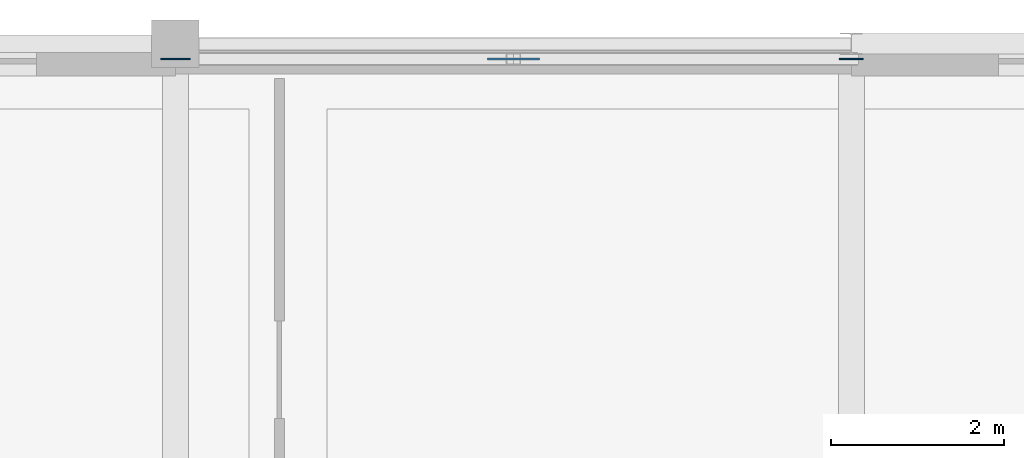
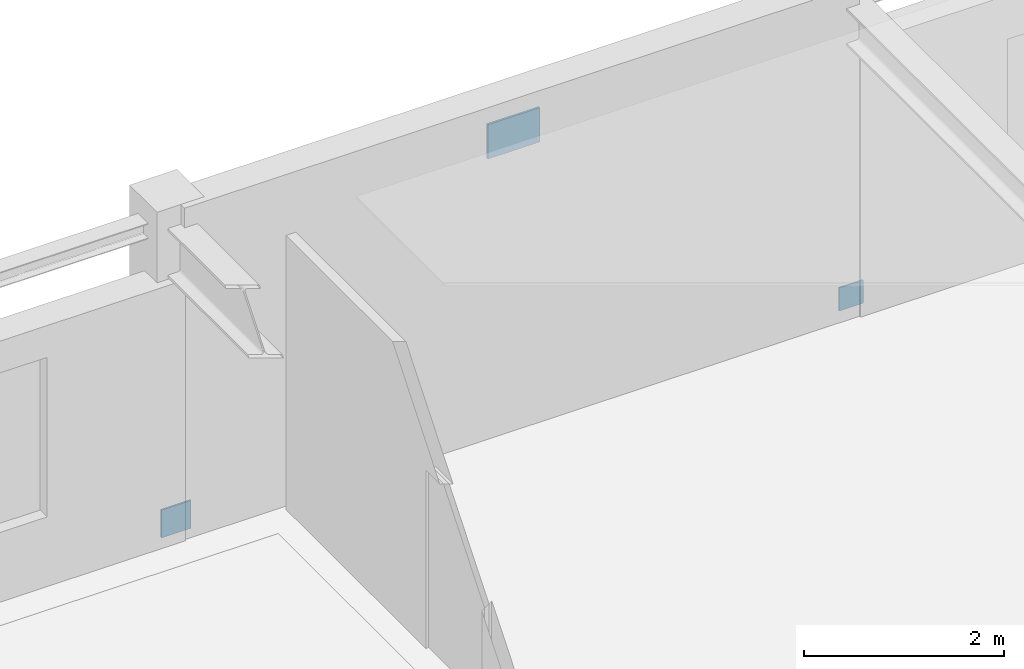
# One storey, part 11 of 20: 3 plates.
"""IFC4 building model written with IfcOpenShell, lengths in metres."""

from ifc_helpers import new_model, si_unit, derived_unit, direction, frame, origin, origin_2d, place, context, subcontext, project, spatial, rectangle, extrude, material, layer, layer_set, type_object, element, save


model = new_model("IFC4")

# Units and contexts
model_context = context("Model", 3, precision=1e-05, world=origin(), true_north=direction((0.0, 1.0)))
body_context = subcontext(model_context, "Body", "Model", "MODEL_VIEW")
ifc_project = project(units=[si_unit("LENGTHUNIT", "METRE"), si_unit("AREAUNIT", "SQUARE_METRE"), si_unit("VOLUMEUNIT", "CUBIC_METRE"), si_unit("PLANEANGLEUNIT", "RADIAN"), si_unit("MASSUNIT", "GRAM", prefix="KILO"), derived_unit("THERMALTRANSMITTANCEUNIT", [(si_unit("POWERUNIT", "WATT"), 1), (si_unit("AREAUNIT", "SQUARE_METRE"), -1), (si_unit("THERMODYNAMICTEMPERATUREUNIT", "KELVIN"), -1)])], contexts=[model_context])

# Site, building, storey
site_placement = place(None, origin())
site = spatial("IfcSite", under=ifc_project, at=site_placement, CompositionType="ELEMENT")
building_placement = place(site_placement, origin())
building = spatial("IfcBuilding", under=site, at=building_placement, Name="Yasenodar Specialist Clinic", CompositionType="ELEMENT")
storey_placement = place(building_placement, frame((0.0, 0.0, 25.35009765625)))
storey = spatial("IfcBuildingStorey", under=building, at=storey_placement, Name="L06", CompositionType="ELEMENT", Elevation=25.35009765625)

# Plates
ifc_material = material(Name="Steel S355", Category="steel")
ifc_layer_1 = layer(ifc_material, 0.02001953125)
ifc_layer_set_1 = layer_set([ifc_layer_1], Name="Steel S355")
plate_type_1 = type_object("IfcPlateType", Name="PL-STEEL-03", PredefinedType="SHEET", material=ifc_layer_set_1)
plate_1_placement = place(storey_placement, frame((81.0, 111.425048828125, -0.02001953125), z_axis=(0.0, 0.0, 1.0), x_axis=(1.0, 0.0, 0.0)))
element("IfcPlate", 1, at=plate_1_placement, inside=storey, type_object=plate_type_1, Name="L06 Hollow Section End-Cap Plate 0028", PredefinedType="SHEET", context=body_context, shape_type="SweptSolid", body=[
    extrude(rectangle(XDim=0.340087890625, YDim=0.02001953125, at=origin_2d()), origin(), (0.0, 0.0, 1.0), 0.340087890625),
])
ifc_layer_2 = layer(ifc_material, 0.01806640625)
ifc_layer_set_2 = layer_set([ifc_layer_2], Name="Steel S355")
plate_type_2 = type_object("IfcPlateType", Name="PL-STEEL-04", PredefinedType="SHEET", material=ifc_layer_set_2)
plate_2_placement = place(storey_placement, frame((88.800048828125, 111.425048828125, 0.009765625), z_axis=(0.0, 0.0, 1.0), x_axis=(1.0, 0.0, 0.0)))
element("IfcPlate", 2, at=plate_2_placement, inside=storey, type_object=plate_type_2, Name="L06 Hollow Section End-Cap Plate 0029", PredefinedType="SHEET", context=body_context, shape_type="SweptSolid", body=[
    extrude(rectangle(XDim=0.280029296875, YDim=0.01806640625, at=origin_2d()), origin(), (0.0, 0.0, 1.0), 0.280029296875),
])
ifc_layer_3 = layer(ifc_material, 0.02490234375)
ifc_layer_set_3 = layer_set([ifc_layer_3], Name="Steel S355")
plate_type_3 = type_object("IfcPlateType", Name="PL-STEEL-07", PredefinedType="USERDEFINED", material=ifc_layer_set_3)
plate_3_placement = place(storey_placement, frame((84.89990234375, 111.425048828125, 3.2900390625), z_axis=(0.0, 0.0, 1.0), x_axis=(1.0, 0.0, 0.0)))
element("IfcPlate", 3, at=plate_3_placement, inside=storey, type_object=plate_type_3, Name="L06 Hollow Section End-Cap Plate 0030", ObjectType="GUSSET_PLATE", PredefinedType="USERDEFINED", context=body_context, shape_type="SweptSolid", body=[
    extrude(rectangle(XDim=0.60009765625, YDim=0.02490234375, at=origin_2d()), origin(), (0.0, 0.0, 1.0), 0.419921875),
])

save(model, "model.ifc")
